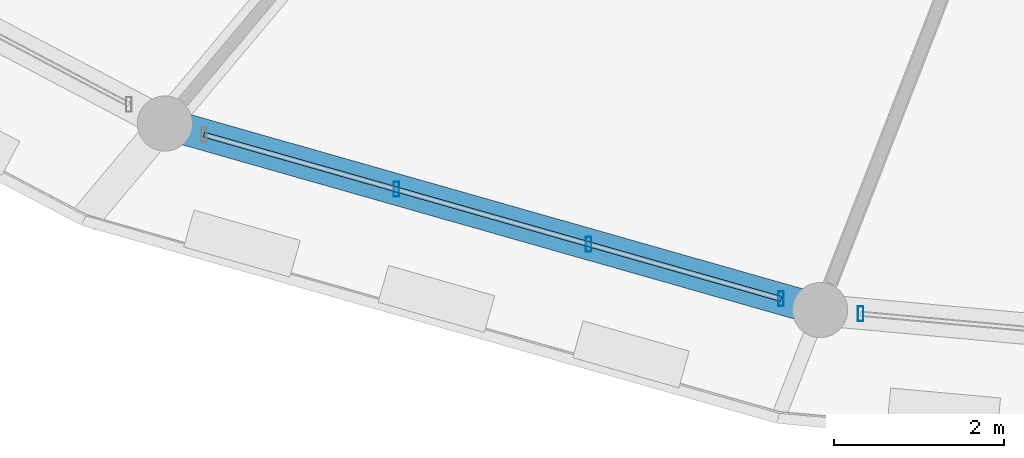
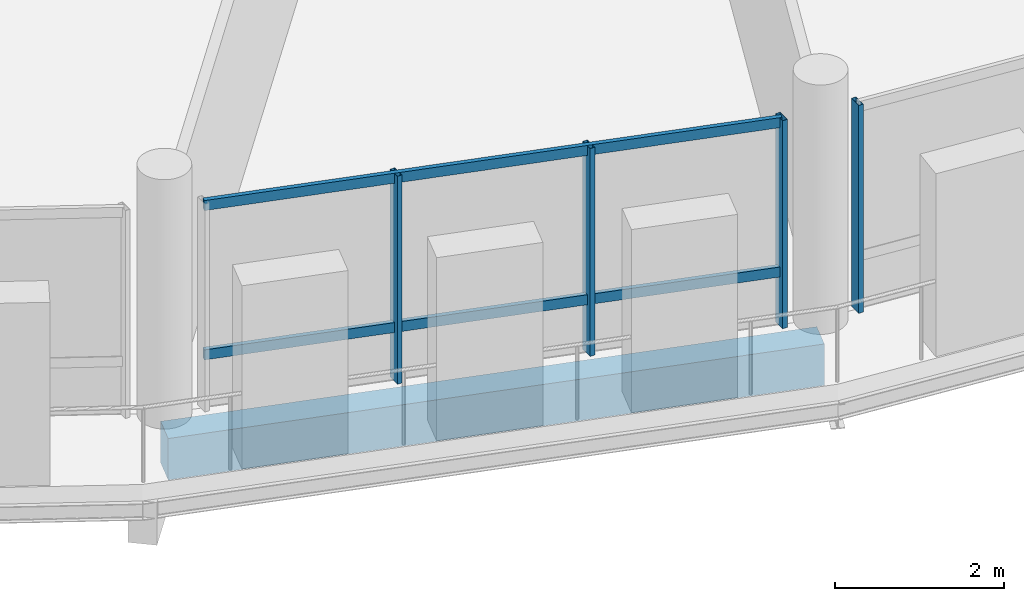
# One storey, part 21 of 93: 6 members, 1 beam, 2 elements without a shape of their own.
"""IFC4 building model written with IfcOpenShell, lengths in metres."""

from ifc_helpers import new_model, si_unit, direction, frame, origin, origin_2d, place, context, subcontext, project, spatial, rectangle, hollow_rectangle, extrude, material, material_profile, profile_set, type_object, element, aggregate, save


model = new_model("IFC4")

# Units and contexts
model_context = context("Model", 3, precision=1e-05, world=origin(), true_north=direction((0.0, 1.0)))
body_context = subcontext(model_context, "Body", "Model", "MODEL_VIEW")
ifc_project = project(units=[si_unit("LENGTHUNIT", "METRE"), si_unit("AREAUNIT", "SQUARE_METRE"), si_unit("VOLUMEUNIT", "CUBIC_METRE"), si_unit("PLANEANGLEUNIT", "RADIAN"), si_unit("MASSUNIT", "GRAM", prefix="KILO")], contexts=[model_context])

# Site, building, storey
site_placement = place(None, origin())
site = spatial("IfcSite", under=ifc_project, at=site_placement, CompositionType="ELEMENT")
building_placement = place(site_placement, origin())
building = spatial("IfcBuilding", under=site, at=building_placement, Name="Zornivar Specialist Clinic", CompositionType="ELEMENT")
storey_placement = place(building_placement, frame((0.0, 0.0, 8.39990234375)))
storey = spatial("IfcBuildingStorey", under=building, at=storey_placement, Name="L02", CompositionType="ELEMENT", Elevation=8.39990234375)

# Beam
ifc_material_1 = material(Name="Concrete C30/37", Category="concrete")
ifc_material_profile_1 = material_profile(ifc_material_1, rectangle(XDim=0.3701171875, YDim=0.60009765625, at=origin_2d()), Name="RC 370x600")
ifc_profile_set_1 = profile_set([ifc_material_profile_1], Name="Concrete C30/37")
beam_type = type_object("IfcBeamType", Name="BM-RC-SPANDREL-370x600", PredefinedType="SPANDREL", material=ifc_profile_set_1)
beam_placement = place(storey_placement, frame((77.60009765625, 38.547119140625, -0.539794921875), z_axis=(0.961790992591, -0.273784744957, 0.0), x_axis=(0.273784744957, 0.961790992591, 0.0)))
element("IfcBeam", 1, at=beam_placement, inside=storey, type_object=beam_type, Name="bm:V1:L02:outring:16", PredefinedType="SPANDREL", context=body_context, shape_type="SweptSolid", body=[
    extrude(rectangle(XDim=0.3701171875, YDim=0.60009765625, at=origin_2d()), origin(), (0.0, 0.0, 1.0), 8.024658203125),
])

# Curtain wall, members
ifc_material_2 = material(Name="Aluminium and Low-E Glass Curtain Wall", Category="aluminium")
curtain_wall_type = type_object("IfcCurtainWallType", Name="CW-DRUM-FACET", PredefinedType="NOTDEFINED", material=ifc_material_2)
curtain_wall_1_placement = place(storey_placement, origin())
curtain_wall_1 = element("IfcCurtainWall", 2, at=curtain_wall_1_placement, inside=storey, type_object=curtain_wall_type, Name="cw:V1:L02:c16", PredefinedType="NOTDEFINED")
ifc_material_3 = material(Name="Aluminium AW-6060", Category="aluminium")
ifc_material_profile_2 = material_profile(ifc_material_3, hollow_rectangle(XDim=0.06494140625, YDim=0.175048828125, WallThickness=0.00439453125, at=origin_2d()), Name="ALU 65x175x4.5")
ifc_profile_set_2 = profile_set([ifc_material_profile_2], Name="Aluminium AW-6060")
member_type_1 = type_object("IfcMemberType", Name="CWM-MUL-175", PredefinedType="MULLION", material=ifc_profile_set_2)
member_1_placement = place(storey_placement, frame((80.325927734375, 37.77099609375, 0.0), z_axis=(0.0, 0.0, 1.0), x_axis=(1.0, 0.0, 0.0)))
member_1 = element("IfcMember", 3, at=member_1_placement, type_object=member_type_1, Name="cw:V1:L02:c16:mul:1", PredefinedType="MULLION", context=body_context, shape_type="SweptSolid", body=[
    extrude(hollow_rectangle(XDim=0.06494140625, YDim=0.175048828125, WallThickness=0.00439453125, at=origin_2d()), origin(), (0.0, 0.0, 1.0), 3.010009765625),
])
member_2_placement = place(storey_placement, frame((82.592041015625, 37.126953125, 0.0), z_axis=(0.0, 0.0, 1.0), x_axis=(1.0, 0.0, 0.0)))
member_2 = element("IfcMember", 4, at=member_2_placement, type_object=member_type_1, Name="cw:V1:L02:c16:mul:2", PredefinedType="MULLION", context=body_context, shape_type="SweptSolid", body=[
    extrude(hollow_rectangle(XDim=0.06494140625, YDim=0.175048828125, WallThickness=0.00439453125, at=origin_2d()), origin(), (0.0, 0.0, 1.0), 3.010009765625),
])
member_3_placement = place(storey_placement, frame((84.85693359375, 36.48193359375, 0.0), z_axis=(0.0, 0.0, 1.0), x_axis=(1.0, 0.0, 0.0)))
member_3 = element("IfcMember", 5, at=member_3_placement, type_object=member_type_1, Name="cw:V1:L02:c16:mul:3", PredefinedType="MULLION", context=body_context, shape_type="SweptSolid", body=[
    extrude(hollow_rectangle(XDim=0.06494140625, YDim=0.175048828125, WallThickness=0.00439453125, at=origin_2d()), origin(), (0.0, 0.0, 1.0), 3.010009765625),
])

# Curtain wall, member
curtain_wall_2_placement = place(storey_placement, origin())
curtain_wall_2 = element("IfcCurtainWall", 6, at=curtain_wall_2_placement, inside=storey, type_object=curtain_wall_type, Name="cw:V1:L02:c17", PredefinedType="NOTDEFINED")
member_4_placement = place(storey_placement, frame((85.7958984375, 36.305908203125, 0.0), z_axis=(0.0, 0.0, 1.0), x_axis=(1.0, 0.0, 0.0)))
member_4 = element("IfcMember", 7, at=member_4_placement, type_object=member_type_1, Name="cw:V1:L02:c17:mul:0", PredefinedType="MULLION", context=body_context, shape_type="SweptSolid", body=[
    extrude(hollow_rectangle(XDim=0.06494140625, YDim=0.175048828125, WallThickness=0.00439453125, at=origin_2d()), origin(), (0.0, 0.0, 1.0), 3.010009765625),
])
aggregate(curtain_wall_2, [member_4])

# Member
ifc_material_4 = material(Name="Aluminium AW-6060", Category="aluminium")
ifc_material_profile_3 = material_profile(ifc_material_4, hollow_rectangle(XDim=0.06005859375, YDim=0.14501953125, WallThickness=0.00390625, at=origin_2d()), Name="ALU 60x145x4")
ifc_profile_set_3 = profile_set([ifc_material_profile_3], Name="Aluminium AW-6060")
member_type_2 = type_object("IfcMemberType", Name="CWM-TRN-145", PredefinedType="USERDEFINED", material=ifc_profile_set_3)
member_5_placement = place(storey_placement, frame((78.06103515625, 38.416015625, 0.783203125), z_axis=(0.961771283353, -0.27385397298, 0.0), x_axis=(0.27385397298, 0.961771283353, 0.0)))
member_5 = element("IfcMember", 8, at=member_5_placement, type_object=member_type_2, Name="cw:V1:L02:c16:trn:0", ObjectType="TRANSOM", PredefinedType="USERDEFINED", context=body_context, shape_type="SweptSolid", body=[
    extrude(hollow_rectangle(XDim=0.06005859375, YDim=0.14501953125, WallThickness=0.00390625, at=origin_2d()), origin(), (0.0, 0.0, 1.0), 7.06591796875),
])

member_6_placement = place(storey_placement, frame((78.06103515625, 38.416015625, 2.945068359375), z_axis=(0.961771283353, -0.27385397298, 0.0), x_axis=(0.27385397298, 0.961771283353, 0.0)))
member_6 = element("IfcMember", 9, at=member_6_placement, type_object=member_type_2, Name="cw:V1:L02:c16:trn:1", ObjectType="TRANSOM", PredefinedType="USERDEFINED", context=body_context, shape_type="SweptSolid", body=[
    extrude(hollow_rectangle(XDim=0.06005859375, YDim=0.14501953125, WallThickness=0.00390625, at=origin_2d()), origin(), (0.0, 0.0, 1.0), 7.06591796875),
])

aggregate(curtain_wall_1, [member_1, member_2, member_3, member_5, member_6])

save(model, "model.ifc")
